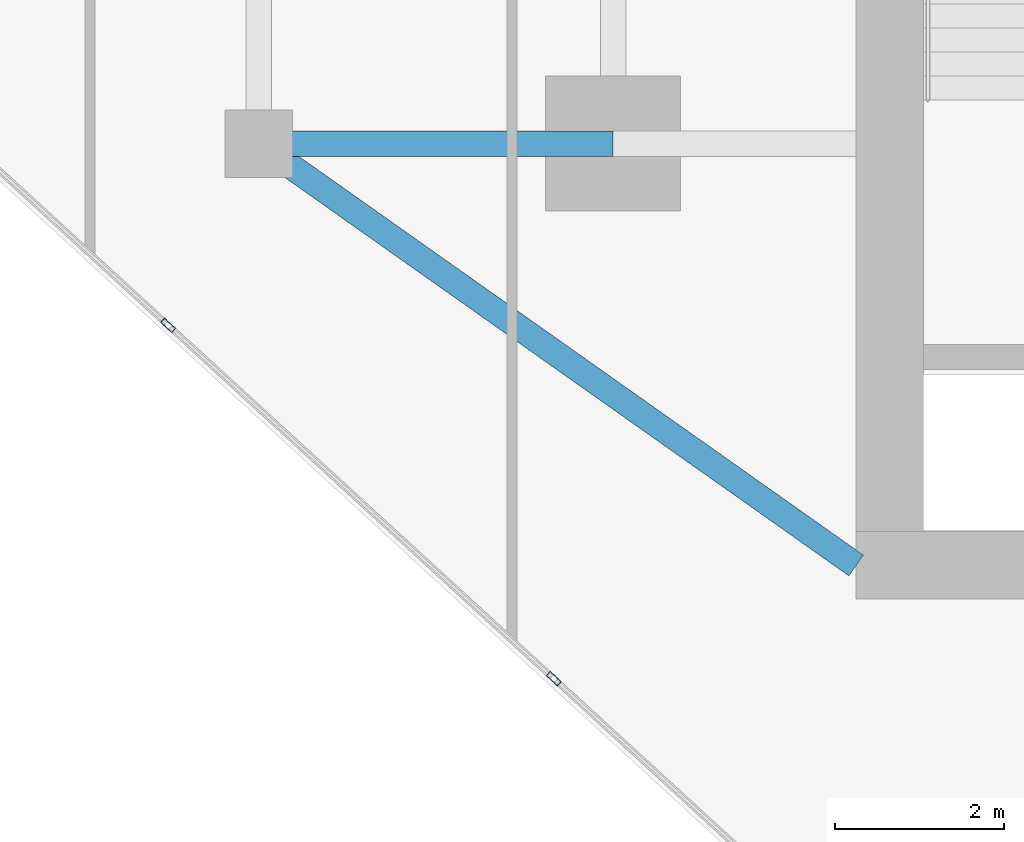
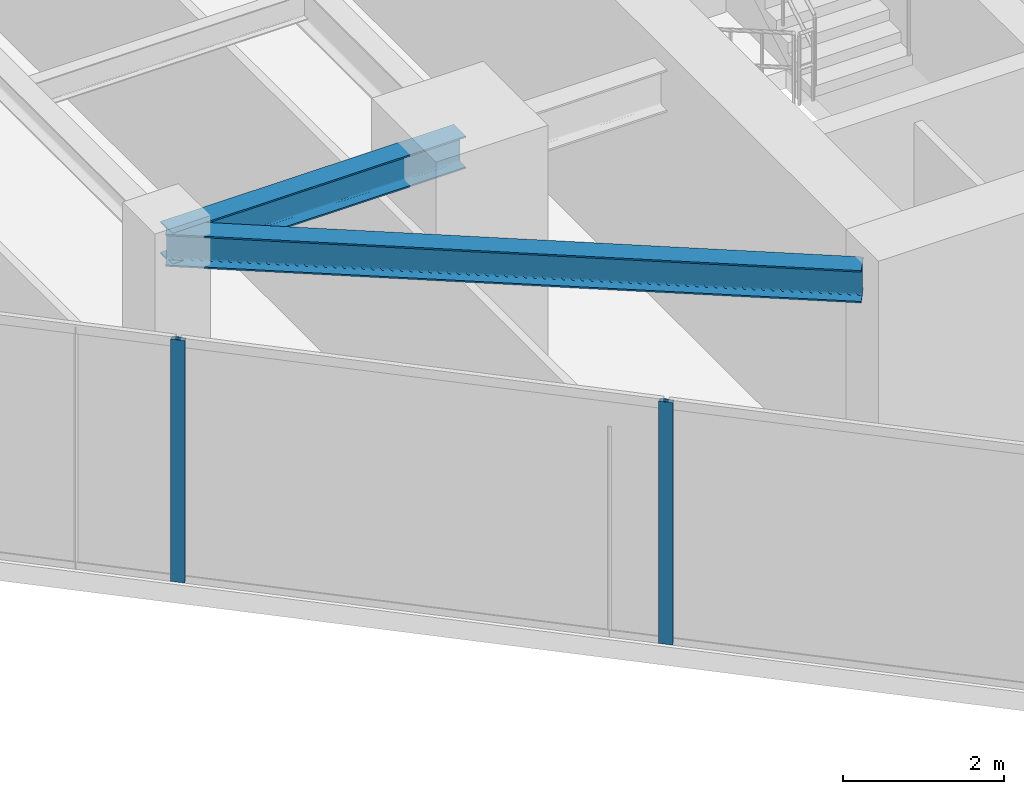
# One storey, part 2 of 26: 2 beams, 2 members, 1 element without a shape of its own.
"""IFC4 building model written with IfcOpenShell, lengths in metres."""

from ifc_helpers import new_model, si_unit, direction, frame, origin, origin_2d, place, context, subcontext, project, spatial, hollow_rectangle, i_section, extrude, source, transform, mapped, material, material_profile, profile_set, type_object, type_shapes, element, aggregate, save


model = new_model("IFC4")

# Units and contexts
model_context = context("Model", 3, precision=1e-05, world=origin(), true_north=direction((0.0, 1.0)))
body_context = subcontext(model_context, "Body", "Model", "MODEL_VIEW")
ifc_project = project(units=[si_unit("LENGTHUNIT", "METRE"), si_unit("AREAUNIT", "SQUARE_METRE"), si_unit("VOLUMEUNIT", "CUBIC_METRE"), si_unit("PLANEANGLEUNIT", "RADIAN"), si_unit("MASSUNIT", "GRAM", prefix="KILO")], contexts=[model_context])

# Site, building, storey
site_placement = place(None, origin())
site = spatial("IfcSite", under=ifc_project, at=site_placement, CompositionType="ELEMENT")
building_placement = place(site_placement, origin())
building = spatial("IfcBuilding", under=site, at=building_placement, Name="Krantzveldt Concourse Tower", CompositionType="ELEMENT")
storey_placement = place(building_placement, frame((0.0, 0.0, 227.050048828125)))
storey = spatial("IfcBuildingStorey", under=building, at=storey_placement, Name="L55", CompositionType="ELEMENT", Elevation=227.050048828125)

# Beams
ifc_material_1 = material(Name="Steel S355JR", Category="steel")
ifc_material_profile_1 = material_profile(ifc_material_1, i_section(OverallWidth=0.300048828125, OverallDepth=0.489990234375, WebThickness=0.011962890625, FlangeThickness=0.02294921875, FilletRadius=0.027099609375, at=origin_2d()), Name="Steel S355JR", Category="steel")
ifc_profile_set_1 = profile_set([ifc_material_profile_1], Name="Steel S355JR - HEA 500")
beam_type = type_object("IfcBeamType", Name="BM-B-HEA500", PredefinedType="BEAM", material=ifc_profile_set_1)
shared_shape_1 = source(origin(), body_context, "Body", "SweptSolid", [
    extrude(i_section(OverallWidth=0.300048828125, OverallDepth=0.489990234375, WebThickness=0.011962890625, FlangeThickness=0.02294921875, FilletRadius=0.027099609375, at=origin_2d()), origin(), (0.0, 0.0, 1.0), 4.199951171875),
])
beam_1_placement = place(storey_placement, frame((21.0, 15.89990234375, 3.425048828125), z_axis=(1.0, 0.0, 0.0), x_axis=(0.0, 1.0, 0.0)))
element("IfcBeam", 1, at=beam_1_placement, inside=storey, type_object=beam_type, Name="L55 Tower Girder BR-RL1", PredefinedType="BEAM", context=body_context, shape_type="MappedRepresentation", body=[
    mapped(shared_shape_1, transform((0.0, 0.0, 0.0), x_axis=(1.0, 0.0, 0.0), y_axis=(0.0, 1.0, 0.0), z_axis=(0.0, 0.0, 1.0), scale=1.0)),
])
shared_shape_2 = source(origin(), body_context, "Body", "SweptSolid", [
    extrude(i_section(OverallWidth=0.300048828125, OverallDepth=0.489990234375, WebThickness=0.011962890625, FlangeThickness=0.02294921875, FilletRadius=0.027099609375, at=origin_2d()), origin(), (0.0, 0.0, 1.0), 8.667724609375),
])
type_shapes(beam_type, [shared_shape_1, shared_shape_2])
beam_2_placement = place(storey_placement, frame((21.0, 15.89990234375, 3.425048828125), z_axis=(0.81684294656, -0.576860122261, 0.0), x_axis=(0.576860122261, 0.81684294656, 0.0)))
element("IfcBeam", 2, at=beam_2_placement, inside=storey, type_object=beam_type, Name="L55 Tower Girder BR-CSW", PredefinedType="BEAM", context=body_context, shape_type="MappedRepresentation", body=[
    mapped(shared_shape_2, transform((0.0, 0.0, 0.0), x_axis=(1.0, 0.0, 0.0), y_axis=(0.0, 1.0, 0.0), z_axis=(0.0, 0.0, 1.0), scale=1.0)),
])

# Curtain wall, members
ifc_material_2 = material(Name="Anodised aluminium 6063-T6", Category="aluminium")
curtain_wall_type = type_object("IfcCurtainWallType", Name="CW3", PredefinedType="USERDEFINED", material=ifc_material_2)
curtain_wall_placement = place(storey_placement, origin())
curtain_wall = element("IfcCurtainWall", 3, at=curtain_wall_placement, inside=storey, type_object=curtain_wall_type, Name="CW-L55-F04", ObjectType="UNITISED CURTAIN WALL", PredefinedType="USERDEFINED")
ifc_material_profile_2 = material_profile(ifc_material_2, hollow_rectangle(XDim=0.070068359375, YDim=0.179931640625, WallThickness=0.0048828125, at=origin_2d()), Name="Anodised aluminium 6063-T6", Category="aluminium")
ifc_profile_set_2 = profile_set([ifc_material_profile_2], Name="Anodised aluminium 6063-T6 - ALU-MULL 180x70x5")
member_type = type_object("IfcMemberType", Name="CW-MUL-180", PredefinedType="MULLION", material=ifc_profile_set_2)
shared_shape_3 = source(origin(), body_context, "Body", "SweptSolid", [
    extrude(hollow_rectangle(XDim=0.070068359375, YDim=0.179931640625, WallThickness=0.0048828125, at=origin_2d()), origin(), (0.0, 0.0, 1.0), 3.669921875),
])
type_shapes(member_type, [shared_shape_3])
member_1_placement = place(storey_placement, frame((19.925537109375, 13.74658203125, 0.0), z_axis=(0.0, 0.0, 1.0), x_axis=(0.675590053651, 0.737277477893, 0.0)))
member_1 = element("IfcMember", 4, at=member_1_placement, type_object=member_type, Name="CW-Z34 mullion 3", PredefinedType="MULLION", context=body_context, shape_type="MappedRepresentation", body=[
    mapped(shared_shape_3, transform((0.0, 0.0, 0.0), x_axis=(1.0, 0.0, 0.0), y_axis=(0.0, 1.0, 0.0), z_axis=(0.0, 0.0, 1.0), scale=1.0)),
])
member_2_placement = place(storey_placement, frame((24.496826171875, 9.557861328125, 0.0), z_axis=(0.0, 0.0, 1.0), x_axis=(0.675590053651, 0.737277477893, 0.0)))
member_2 = element("IfcMember", 5, at=member_2_placement, type_object=member_type, Name="CW-Z34 mullion 4", PredefinedType="MULLION", context=body_context, shape_type="MappedRepresentation", body=[
    mapped(shared_shape_3, transform((0.0, 0.0, 0.0), x_axis=(1.0, 0.0, 0.0), y_axis=(0.0, 1.0, 0.0), z_axis=(0.0, 0.0, 1.0), scale=1.0)),
])
aggregate(curtain_wall, [member_1, member_2])

save(model, "model.ifc")
